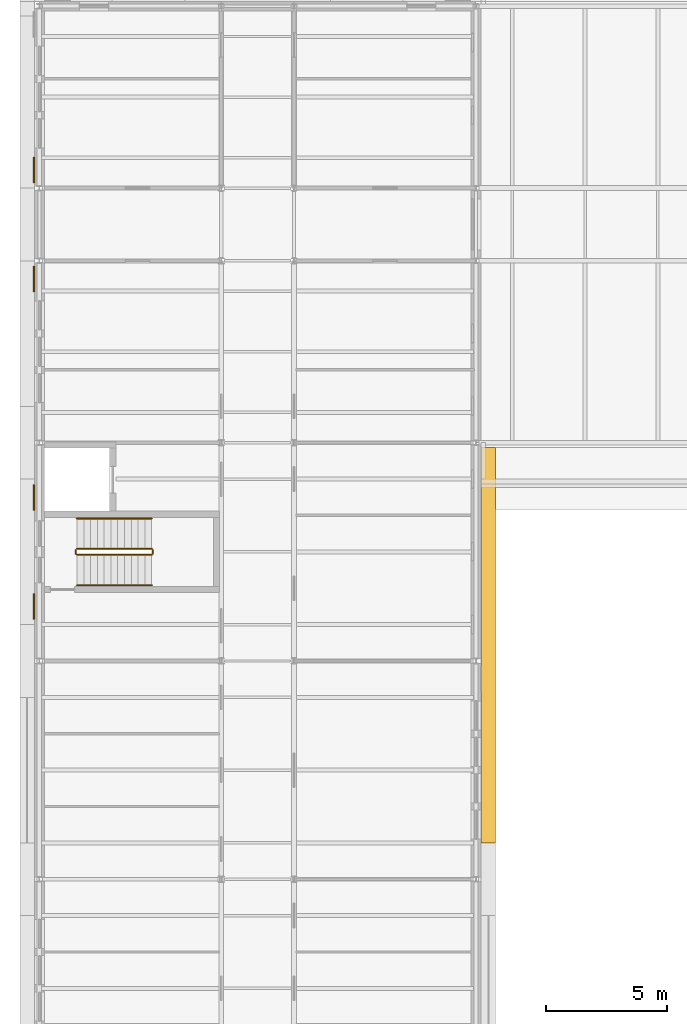
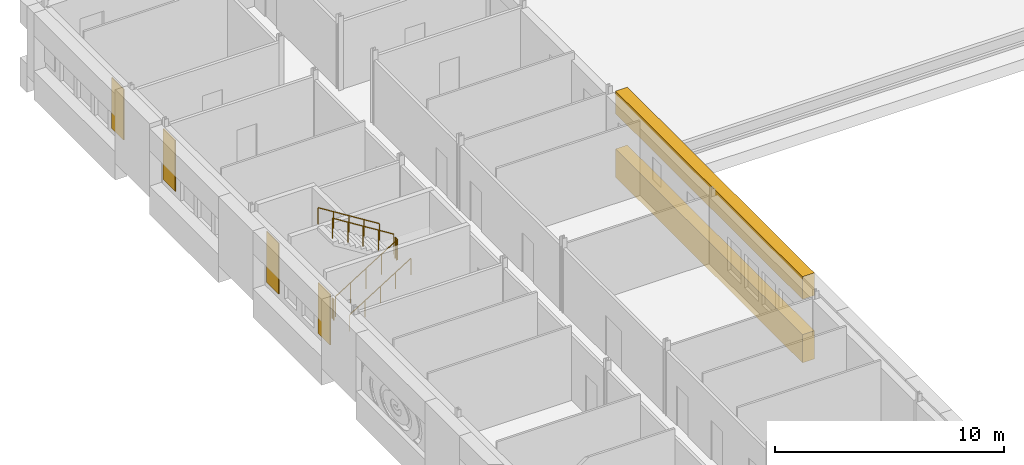
# One storey, part 38 of 42: 6 coverings, 6 railings.
"""IFC4 building model written with IfcOpenShell, lengths in metres."""

import ifcopenshell
import ifcopenshell.guid

model = None  # the IFC model being written
_history = None  # IfcOwnerHistory: only IFC2X3 demands one
_inside = {}  # id of a spatial element -> (the spatial element, [elements in it])
_under = {}  # id of a project, library or spatial element -> (it, [spatial elements below it])
_declared = {}  # id of a project -> (the project, [libraries it declares])
_typed = {}  # id of a type object -> (the type object, [elements of that type])
_made_of = {}  # id of a material, layer set ... -> (it, [elements and type objects made of it])


def new_model(schema):
    """Start an empty IFC model of exactly this schema.

    Asked for "IFC4X3", IfcOpenShell would pick the latest addendum, in which some entities
    have other attributes; the version numbers below select the first issue.
    IFC2X3 requires an IfcOwnerHistory on every rooted entity: one is made here for all.
    """
    global model, _history
    if schema == "IFC4X3":
        model = ifcopenshell.file(schema_version=(4, 3, 0, 0))
    else:
        model = ifcopenshell.file(schema=schema)
    _inside.clear()
    _under.clear()
    _declared.clear()
    _typed.clear()
    _made_of.clear()
    _history = None
    if model.schema == "IFC2X3":
        org = make("IfcOrganization", Name="unknown")
        user = make(
            "IfcPersonAndOrganization",
            ThePerson=make("IfcPerson", FamilyName="unknown"),
            TheOrganization=org,
        )
        app = make(
            "IfcApplication",
            ApplicationDeveloper=org,
            Version="unknown",
            ApplicationFullName="unknown",
            ApplicationIdentifier="unknown",
        )
        _history = make(
            "IfcOwnerHistory",
            OwningUser=user,
            OwningApplication=app,
            ChangeAction="ADDED",
            CreationDate=0,
        )
    return model


def make(cls, **values):
    """One entity of the class cls with the attributes given. An attribute that is None is left unset."""
    return model.create_entity(
        cls, **{name: value for name, value in values.items() if value is not None}
    )


def rooted(cls, **values):
    """An entity with a GlobalId (a new one), such as an element, a storey or a relation."""
    return make(cls, GlobalId=ifcopenshell.guid.new(), OwnerHistory=_history, **values)


def si_unit(unit_type, name, prefix=None):
    """IfcSIUnit, for example si_unit("LENGTHUNIT", "METRE", prefix="MILLI")."""
    return make("IfcSIUnit", UnitType=unit_type, Prefix=prefix, Name=name)


def assignment(units):
    """IfcUnitAssignment: the units of a project."""
    return None if units is None else make("IfcUnitAssignment", Units=units)


def point(xyz):
    """IfcCartesianPoint."""
    return None if xyz is None else make("IfcCartesianPoint", Coordinates=xyz)


def direction(xyz):
    """IfcDirection."""
    return None if xyz is None else make("IfcDirection", DirectionRatios=xyz)


def frame(location, z_axis=None, x_axis=None):
    """IfcAxis2Placement3D, a coordinate frame: its origin and axes. An axis left out is left unset."""
    return make(
        "IfcAxis2Placement3D",
        Location=point(location),
        Axis=direction(z_axis),
        RefDirection=direction(x_axis),
    )


def frame_2d(location, x_axis=None):
    """IfcAxis2Placement2D, a coordinate frame in the plane: its origin and x axis."""
    return make(
        "IfcAxis2Placement2D", Location=point(location), RefDirection=direction(x_axis)
    )


def origin():
    """The frame at (0, 0, 0) with its axes left unset."""
    return frame((0.0, 0.0, 0.0))


def origin_2d():
    """The frame at (0, 0) in the plane with its x axis left unset."""
    return frame_2d((0.0, 0.0))


def place(relative_to, where):
    """IfcLocalPlacement: puts the frame where relative to a parent placement (None: the world)."""
    return make(
        "IfcLocalPlacement", PlacementRelTo=relative_to, RelativePlacement=where
    )


def context(
    kind, dimensions, precision=None, world=None, true_north=None, identifier=None
):
    """IfcGeometricRepresentationContext, for example the 3D "Model" context."""
    return make(
        "IfcGeometricRepresentationContext",
        ContextIdentifier=identifier,
        ContextType=kind,
        CoordinateSpaceDimension=dimensions,
        Precision=precision,
        WorldCoordinateSystem=world,
        TrueNorth=true_north,
    )


def subcontext(parent, identifier, kind, view, scale=None):
    """IfcGeometricRepresentationSubContext, for example "Body" below "Model"."""
    return make(
        "IfcGeometricRepresentationSubContext",
        ContextIdentifier=identifier,
        ContextType=kind,
        ParentContext=parent,
        TargetScale=scale,
        TargetView=view,
    )


def project(units=None, contexts=None):
    """IfcProject with its units and contexts."""
    return rooted(
        "IfcProject",
        Name="project",
        RepresentationContexts=contexts,
        UnitsInContext=assignment(units),
    )


def spatial(cls, under=None, at=None, **own):
    """A site, building, storey or space (cls), placed at a placement, below another one or the project."""
    s = rooted(cls, ObjectPlacement=at, **own)
    if under is not None:
        _under.setdefault(under.id(), (under, []))[1].append(s)
    return s


def polyline(points):
    """IfcPolyline through the points."""
    return make("IfcPolyline", Points=[point(p) for p in points])


def profile(cls, at=None, kind="AREA", **sizes):
    """A parametric profile (cls). Its sizes go by their IFC names, for example OverallWidth=200.0."""
    return make(cls, ProfileType=kind, Position=at, **sizes)


def circle(**sizes):
    """IfcCircleProfileDef."""
    return profile("IfcCircleProfileDef", **sizes)


def outline(outer, holes=None, kind="AREA"):
    """IfcArbitraryClosedProfileDef: a profile drawn as a closed curve; with holes, ...WithVoids."""
    if holes is None:
        return make("IfcArbitraryClosedProfileDef", ProfileType=kind, OuterCurve=outer)
    return make(
        "IfcArbitraryProfileDefWithVoids",
        ProfileType=kind,
        OuterCurve=outer,
        InnerCurves=holes,
    )


def extrude(swept, where, along, depth):
    """IfcExtrudedAreaSolid: the profile swept, set in the frame where, extruded along a direction by depth."""
    return make(
        "IfcExtrudedAreaSolid",
        SweptArea=swept,
        Position=where,
        ExtrudedDirection=direction(along),
        Depth=depth,
    )


def shape(context_of_items, identifier, shape_type, items):
    """IfcShapeRepresentation: the items that make up one representation, for example the "Body"."""
    return make(
        "IfcShapeRepresentation",
        ContextOfItems=context_of_items,
        RepresentationIdentifier=identifier,
        RepresentationType=shape_type,
        Items=items,
    )


def material(Name=None, Category=None):
    """IfcMaterial."""
    return make("IfcMaterial", Name=Name, Category=Category)


def layer(
    of_material, thickness, ventilated=None, Name=None, Category=None, Priority=None
):
    """IfcMaterialLayer: one layer of a wall or slab, of a material (None: an air gap)."""
    return make(
        "IfcMaterialLayer",
        Material=of_material,
        LayerThickness=thickness,
        IsVentilated=ventilated,
        Name=Name,
        Category=Category,
        Priority=Priority,
    )


def layer_set(layers, Name=None):
    """IfcMaterialLayerSet."""
    return make("IfcMaterialLayerSet", MaterialLayers=layers, LayerSetName=Name)


def made_of(thing, what):
    """Note that an element or type object is made of a material, layer set ...; save() writes the relation."""
    if what is not None:
        _made_of.setdefault(what.id(), (what, []))[1].append(thing)
    return thing


def type_object(cls, material=None, **own):
    """A type object (cls), such as IfcWallType, which elements share."""
    return made_of(rooted(cls, **own), material)


def element(
    cls,
    number,
    at=None,
    inside=None,
    cuts=None,
    type_object=None,
    material=None,
    context=None,
    identifier="Body",
    shape_type=None,
    held_by="IfcProductDefinitionShape",
    body=None,
    shapes=None,
    **own,
):
    """One element of the class cls, such as IfcWall. Its Tag is "e" and its number.

    at: its placement. inside: the storey or other place that contains it. cuts: it is an
    opening in that element (IfcRelVoidsElement). A single representation is given by context,
    identifier, shape_type and body (its items); several are given by shapes. held_by: the class
    of the entity that holds the representations. save() writes the other relations.
    """
    e = rooted(cls, Tag="e%d" % number, ObjectPlacement=at, **own)
    if body is not None:
        shapes = [shape(context, identifier, shape_type, body)]
    if shapes is not None:
        e.Representation = make(held_by, Representations=shapes)
    if inside is not None:
        _inside.setdefault(inside.id(), (inside, []))[1].append(e)
    if cuts is not None:
        rooted(
            "IfcRelVoidsElement", RelatingBuildingElement=cuts, RelatedOpeningElement=e
        )
    if type_object is not None:
        _typed.setdefault(type_object.id(), (type_object, []))[1].append(e)
    return made_of(e, material)


def aggregate(whole, parts):
    """IfcRelAggregates: a whole, such as a stair, and the parts it consists of."""
    return rooted("IfcRelAggregates", RelatingObject=whole, RelatedObjects=parts)


def save(model, path):
    """Write the relations noted so far, then the file.

    IfcRelAggregates (storeys below a building ...), IfcRelContainedInSpatialStructure (elements
    in a storey), IfcRelDefinesByType, IfcRelAssociatesMaterial and IfcRelDeclares: one each for
    every whole, place, type object, material and project.
    """
    for whole, parts in _under.values():
        aggregate(whole, parts)
    for where, things in _inside.values():
        rooted(
            "IfcRelContainedInSpatialStructure",
            RelatedElements=things,
            RelatingStructure=where,
        )
    for kind, things in _typed.values():
        rooted("IfcRelDefinesByType", RelatedObjects=things, RelatingType=kind)
    for what, things in _made_of.values():
        rooted("IfcRelAssociatesMaterial", RelatedObjects=things, RelatingMaterial=what)
    for by, libraries in _declared.values():
        rooted("IfcRelDeclares", RelatingContext=by, RelatedDefinitions=libraries)
    model.write(path)


model = new_model("IFC4")

# Units and contexts
model_context = context("Model", 3, precision=1e-05, world=origin(), true_north=direction((0.0, 1.0)))
body_context = subcontext(model_context, "Body", "Model", "MODEL_VIEW")
ifc_project = project(units=[si_unit("LENGTHUNIT", "METRE"), si_unit("AREAUNIT", "SQUARE_METRE"), si_unit("VOLUMEUNIT", "CUBIC_METRE"), si_unit("PLANEANGLEUNIT", "RADIAN"), si_unit("MASSUNIT", "GRAM", prefix="KILO")], contexts=[model_context])

# Site, building, storey
site_placement = place(None, origin())
site = spatial("IfcSite", under=ifc_project, at=site_placement, CompositionType="ELEMENT")
building_placement = place(site_placement, origin())
building = spatial("IfcBuilding", under=site, at=building_placement, Name="Golden Quay Civic Hall", CompositionType="ELEMENT")
storey_placement = place(building_placement, frame((0.0, 0.0, 22.800048828125)))
storey = spatial("IfcBuildingStorey", under=building, at=storey_placement, Name="L05", CompositionType="ELEMENT", Elevation=22.800048828125)

# Railings
ifc_material_1 = material(Name="Steel S355", Category="steel")
railing_type_1 = type_object("IfcRailingType", Name="Steel guard 1100", PredefinedType="GUARDRAIL", material=ifc_material_1)
railing_1_placement = place(storey_placement, frame((1.550048828125, 58.375, 0.175048828125)))
element("IfcRailing", 1, at=railing_1_placement, inside=storey, type_object=railing_type_1, Name="L05 WO-N stair guard 1", PredefinedType="GUARDRAIL", context=body_context, shape_type="SweptSolid", body=[
    extrude(circle(Radius=0.02392578125, at=origin_2d()), frame((0.0, 0.0, 1.076171875), z_axis=(0.848009633417, 0.0, 0.529980812513), x_axis=(0.0, 1.0, 0.0)), (0.0, 0.0, 1.0), 3.6318359375),
    extrude(circle(Radius=0.02099609375, at=origin_2d()), origin(), (0.0, 0.0, 1.0), 1.052001953125),
    extrude(circle(Radius=0.02099609375, at=origin_2d()), frame((0.77001953125, 0.0, 0.481201171875)), (0.0, 0.0, 1.0), 1.052001953125),
    extrude(circle(Radius=0.02099609375, at=origin_2d()), frame((1.5400390625, 0.0, 0.96240234375)), (0.0, 0.0, 1.0), 1.052001953125),
    extrude(circle(Radius=0.02099609375, at=origin_2d()), frame((2.309814453125, 0.0, 1.443603515625)), (0.0, 0.0, 1.0), 1.052001953125),
    extrude(circle(Radius=0.02099609375, at=origin_2d()), frame((3.079833984375, 0.0, 1.9248046875)), (0.0, 0.0, 1.0), 1.052001953125),
])
railing_2_placement = place(storey_placement, frame((4.679931640625, 58.425048828125, 2.099853515625)))
element("IfcRailing", 2, at=railing_2_placement, inside=storey, type_object=railing_type_1, Name="L05 WO-N stair guard 2", PredefinedType="GUARDRAIL", context=body_context, shape_type="SweptSolid", body=[
    extrude(circle(Radius=0.02392578125, at=origin_2d()), frame((0.0, 0.0, 1.076171875), z_axis=(0.0, 1.0, 0.0), x_axis=(-1.0, 0.0, 0.0)), (0.0, 0.0, 1.0), 0.14990234375),
    extrude(circle(Radius=0.02099609375, at=origin_2d()), origin(), (0.0, 0.0, 1.0), 1.052001953125),
    extrude(circle(Radius=0.02099609375, at=origin_2d()), frame((0.0, 0.14990234375, 0.0)), (0.0, 0.0, 1.0), 1.052001953125),
])
railing_3_placement = place(storey_placement, frame((4.6298828125, 58.625, 2.27490234375)))
element("IfcRailing", 3, at=railing_3_placement, inside=storey, type_object=railing_type_1, Name="L05 WO-N stair guard 3", PredefinedType="GUARDRAIL", context=body_context, shape_type="SweptSolid", body=[
    extrude(circle(Radius=0.02392578125, at=origin_2d()), frame((0.0, 0.0, 1.076171875), z_axis=(-0.847979421464, 0.0, 0.530029150871), x_axis=(0.0, -1.0, 0.0)), (0.0, 0.0, 1.0), 3.632080078125),
    extrude(circle(Radius=0.02099609375, at=origin_2d()), origin(), (0.0, 0.0, 1.0), 1.052001953125),
    extrude(circle(Radius=0.02099609375, at=origin_2d()), frame((-0.77001953125, 0.0, 0.481201171875)), (0.0, 0.0, 1.0), 1.052001953125),
    extrude(circle(Radius=0.02099609375, at=origin_2d()), frame((-1.5400390625, 0.0, 0.96240234375)), (0.0, 0.0, 1.0), 1.052001953125),
    extrude(circle(Radius=0.02099609375, at=origin_2d()), frame((-2.309814453125, 0.0, 1.44384765625)), (0.0, 0.0, 1.0), 1.052001953125),
    extrude(circle(Radius=0.02099609375, at=origin_2d()), frame((-3.079833984375, 0.0, 1.925048828125)), (0.0, 0.0, 1.0), 1.052001953125),
])
railing_4_placement = place(storey_placement, frame((1.5, 58.425048828125, 0.0)))
element("IfcRailing", 4, at=railing_4_placement, inside=storey, type_object=railing_type_1, Name="L05 WO-N stair guard 4", PredefinedType="GUARDRAIL", context=body_context, shape_type="SweptSolid", body=[
    extrude(circle(Radius=0.02392578125, at=origin_2d()), frame((0.0, 0.0, 1.076171875), z_axis=(0.0, 1.0, 0.0), x_axis=(-1.0, 0.0, 0.0)), (0.0, 0.0, 1.0), 0.14990234375),
    extrude(circle(Radius=0.02099609375, at=origin_2d()), origin(), (0.0, 0.0, 1.0), 1.052001953125),
    extrude(circle(Radius=0.02099609375, at=origin_2d()), frame((0.0, 0.14990234375, 0.0)), (0.0, 0.0, 1.0), 1.052001953125),
])
ifc_material_2 = material(Name="Steel S355", Category="steel")
railing_type_2 = type_object("IfcRailingType", Name="Steel handrail 900", PredefinedType="HANDRAIL", material=ifc_material_2)
railing_5_placement = place(storey_placement, frame((1.550048828125, 57.125, 0.175048828125)))
element("IfcRailing", 5, at=railing_5_placement, inside=storey, type_object=railing_type_2, Name="L05 WO-N stair handrail 1", PredefinedType="HANDRAIL", context=body_context, shape_type="SweptSolid", body=[
    extrude(circle(Radius=0.02392578125, at=origin_2d()), frame((0.0, 0.0, 0.8759765625), z_axis=(0.848009633417, 0.0, 0.529980812513), x_axis=(0.0, 1.0, 0.0)), (0.0, 0.0, 1.0), 3.6318359375),
    extrude(circle(Radius=0.02099609375, at=origin_2d()), origin(), (0.0, 0.0, 1.0), 0.851806640625),
    extrude(circle(Radius=0.02099609375, at=origin_2d()), frame((0.77001953125, 0.0, 0.481201171875)), (0.0, 0.0, 1.0), 0.851806640625),
    extrude(circle(Radius=0.02099609375, at=origin_2d()), frame((1.5400390625, 0.0, 0.96240234375)), (0.0, 0.0, 1.0), 0.851806640625),
    extrude(circle(Radius=0.02099609375, at=origin_2d()), frame((2.309814453125, 0.0, 1.443603515625)), (0.0, 0.0, 1.0), 0.851806640625),
    extrude(circle(Radius=0.02099609375, at=origin_2d()), frame((3.079833984375, 0.0, 1.9248046875)), (0.0, 0.0, 1.0), 0.851806640625),
])
railing_6_placement = place(storey_placement, frame((4.6298828125, 59.875, 2.27490234375)))
element("IfcRailing", 6, at=railing_6_placement, inside=storey, type_object=railing_type_2, Name="L05 WO-N stair handrail 2", PredefinedType="HANDRAIL", context=body_context, shape_type="SweptSolid", body=[
    extrude(circle(Radius=0.02392578125, at=origin_2d()), frame((0.0, 0.0, 0.8759765625), z_axis=(-0.847979421464, 0.0, 0.530029150871), x_axis=(0.0, -1.0, 0.0)), (0.0, 0.0, 1.0), 3.632080078125),
    extrude(circle(Radius=0.02099609375, at=origin_2d()), origin(), (0.0, 0.0, 1.0), 0.851806640625),
    extrude(circle(Radius=0.02099609375, at=origin_2d()), frame((-0.77001953125, 0.0, 0.481201171875)), (0.0, 0.0, 1.0), 0.851806640625),
    extrude(circle(Radius=0.02099609375, at=origin_2d()), frame((-1.5400390625, 0.0, 0.96240234375)), (0.0, 0.0, 1.0), 0.851806640625),
    extrude(circle(Radius=0.02099609375, at=origin_2d()), frame((-2.309814453125, 0.0, 1.44384765625)), (0.0, 0.0, 1.0), 0.851806640625),
    extrude(circle(Radius=0.02099609375, at=origin_2d()), frame((-3.079833984375, 0.0, 1.925048828125)), (0.0, 0.0, 1.0), 0.851806640625),
])

# Coverings
ifc_material_3 = material(Name="Terracotta cladding, golden glaze", Category="masonry")
ifc_layer = layer(ifc_material_3, 0.050048828125)
ifc_layer_set = layer_set([ifc_layer], Name="Terracotta solid panel 1050 x 2700 x 50")
covering_type_1 = type_object("IfcCoveringType", Name="Terracotta solid panel 1050 x 2700 x 50", PredefinedType="CLADDING", material=ifc_layer_set)
covering_1_placement = place(storey_placement, frame((0.0, 0.0, 0.89990234375)))
element("IfcCovering", 7, at=covering_1_placement, inside=storey, type_object=covering_type_1, Name="Terracotta solid panel 1050 x 2700 x 50 L05 4", PredefinedType="CLADDING", context=body_context, shape_type="SweptSolid", body=[
    extrude(outline(polyline([(-0.199951171875, 55.72509765625), (-0.199951171875, 56.77490234375), (-0.25, 56.77490234375), (-0.25, 55.72509765625), (-0.199951171875, 55.72509765625)])), origin(), (0.0, 0.0, 1.0), 2.699951171875),
])
covering_2_placement = place(storey_placement, frame((0.0, 0.0, 0.89990234375)))
element("IfcCovering", 8, at=covering_2_placement, inside=storey, type_object=covering_type_1, Name="Terracotta solid panel 1050 x 2700 x 50 L05 5", PredefinedType="CLADDING", context=body_context, shape_type="SweptSolid", body=[
    extrude(outline(polyline([(-0.199951171875, 60.22509765625), (-0.199951171875, 61.27490234375), (-0.25, 61.27490234375), (-0.25, 60.22509765625), (-0.199951171875, 60.22509765625)])), origin(), (0.0, 0.0, 1.0), 2.699951171875),
])
covering_3_placement = place(storey_placement, frame((0.0, 0.0, 0.89990234375)))
element("IfcCovering", 9, at=covering_3_placement, inside=storey, type_object=covering_type_1, Name="Terracotta solid panel 1050 x 2700 x 50 L05 6", PredefinedType="CLADDING", context=body_context, shape_type="SweptSolid", body=[
    extrude(outline(polyline([(-0.199951171875, 69.22509765625), (-0.199951171875, 70.27490234375), (-0.25, 70.27490234375), (-0.25, 69.22509765625), (-0.199951171875, 69.22509765625)])), origin(), (0.0, 0.0, 1.0), 2.699951171875),
])
covering_4_placement = place(storey_placement, frame((0.0, 0.0, 0.89990234375)))
element("IfcCovering", 10, at=covering_4_placement, inside=storey, type_object=covering_type_1, Name="Terracotta solid panel 1050 x 2700 x 50 L05 7", PredefinedType="CLADDING", context=body_context, shape_type="SweptSolid", body=[
    extrude(outline(polyline([(-0.199951171875, 73.72509765625), (-0.199951171875, 74.77490234375), (-0.25, 74.77490234375), (-0.25, 73.72509765625), (-0.199951171875, 73.72509765625)])), origin(), (0.0, 0.0, 1.0), 2.699951171875),
])
ifc_material_4 = material(Name="Terracotta cladding, golden glaze", Category="masonry")
covering_type_2 = type_object("IfcCoveringType", Name="Terracotta spandrel fascia 600 x 1200", PredefinedType="CLADDING", material=ifc_material_4)
covering_5_placement = place(storey_placement, frame((0.0, 0.0, 2.47998046875)))
element("IfcCovering", 11, at=covering_5_placement, inside=storey, type_object=covering_type_2, Name="Terracotta spandrel fascia 600 x 1200 L05 4", PredefinedType="CLADDING", context=body_context, shape_type="SweptSolid", body=[
    extrude(outline(polyline([(18.199951171875, 62.800048828125), (18.800048828125, 62.800048828125), (18.800048828125, 46.5), (18.199951171875, 46.5), (18.199951171875, 62.800048828125)])), origin(), (0.0, 0.0, 1.0), 1.199951171875),
])
ifc_material_5 = material(Name="Terracotta cladding, golden glaze", Category="masonry")
covering_type_3 = type_object("IfcCoveringType", Name="Terracotta spandrel fascia 600 x 1500", PredefinedType="CLADDING", material=ifc_material_5)
covering_6_placement = place(storey_placement, frame((0.0, 0.0, -0.900146484375)))
element("IfcCovering", 12, at=covering_6_placement, inside=storey, type_object=covering_type_3, Name="Terracotta spandrel fascia 600 x 1500 L05 4", PredefinedType="CLADDING", context=body_context, shape_type="SweptSolid", body=[
    extrude(outline(polyline([(18.199951171875, 62.800048828125), (18.800048828125, 62.800048828125), (18.800048828125, 46.5), (18.199951171875, 46.5), (18.199951171875, 62.800048828125)])), origin(), (0.0, 0.0, 1.0), 1.5),
])

save(model, "model.ifc")
